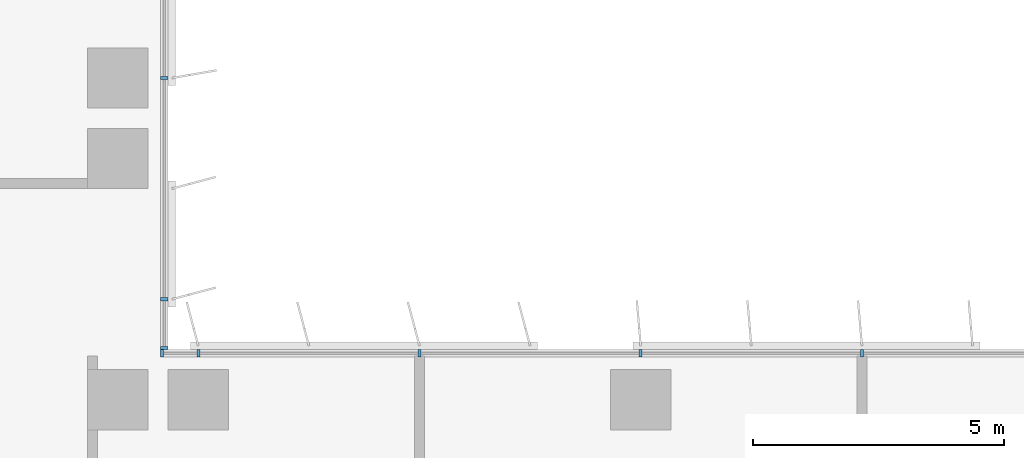
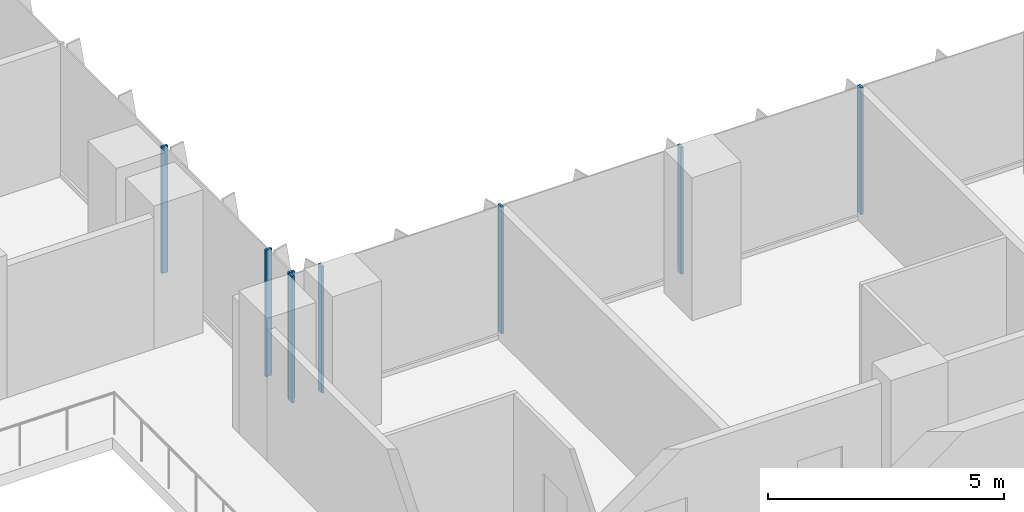
# One storey, part 2 of 22: 8 members, 2 elements without a shape of their own.
"""IFC4 building model written with IfcOpenShell, lengths in metres."""

from ifc_helpers import new_model, si_unit, direction, frame, origin, origin_2d, place, context, subcontext, project, spatial, rectangle, extrude, source, transform, mapped, material, material_profile, profile_set, type_object, element, aggregate, save


model = new_model("IFC4")

# Units and contexts
model_context = context("Model", 3, precision=1e-05, world=origin(), true_north=direction((0.0, 1.0)))
body_context = subcontext(model_context, "Body", "Model", "MODEL_VIEW")
ifc_project = project(units=[si_unit("LENGTHUNIT", "METRE"), si_unit("AREAUNIT", "SQUARE_METRE"), si_unit("VOLUMEUNIT", "CUBIC_METRE"), si_unit("PLANEANGLEUNIT", "RADIAN"), si_unit("MASSUNIT", "GRAM", prefix="KILO")], contexts=[model_context])

# Site, building, storey
site_placement = place(None, origin())
site = spatial("IfcSite", under=ifc_project, at=site_placement, CompositionType="ELEMENT")
building_placement = place(site_placement, origin())
building = spatial("IfcBuilding", under=site, at=building_placement, Name="Kemantara Hotel Tower", CompositionType="ELEMENT")
storey_placement = place(building_placement, frame((0.0, 0.0, 122.199951171875)))
storey = spatial("IfcBuildingStorey", under=building, at=storey_placement, Name="L29", CompositionType="ELEMENT", Elevation=122.199951171875)

# Curtain wall, members
ifc_material_1 = material(Name="Low-E tinted double insulated glass 36 mm", Category="glass")
curtain_wall_type = type_object("IfcCurtainWallType", Name="TOWER CURTAIN WALL, FRONT FACES", PredefinedType="USERDEFINED", material=ifc_material_1)
curtain_wall_1_placement = place(storey_placement, origin())
curtain_wall_1 = element("IfcCurtainWall", 1, at=curtain_wall_1_placement, inside=storey, type_object=curtain_wall_type, Name="CW4 L29 T2-R13-1", ObjectType="TOWER CURTAIN WALL, FRONT FACES", PredefinedType="USERDEFINED")
ifc_material_2 = material(Name="Aluminium 6063-T6 bronze anodised", Category="aluminium")
ifc_material_profile = material_profile(ifc_material_2, rectangle(XDim=0.14990234375, YDim=0.06005859375, at=origin_2d()), Name="TOWER CURTAIN WALL, FRONT FACES MULLION")
ifc_profile_set = profile_set([ifc_material_profile], Name="Aluminium 6063-T6 bronze anodised")
member_type = type_object("IfcMemberType", Name="TOWER CURTAIN WALL, FRONT FACES MULLION", PredefinedType="MULLION", material=ifc_profile_set)
shared_shape = source(origin(), body_context, "Body", "SweptSolid", [
    extrude(rectangle(XDim=0.14990234375, YDim=0.06005859375, at=origin_2d()), origin(), (0.0, 0.0, 1.0), 3.280029296875),
])
member_1_placement = place(storey_placement, frame((40.60009765625, 21.925048828125, 0.1201171875), z_axis=(0.0, 0.0, 1.0), x_axis=(0.0, -1.0, 0.0)))
member_1 = element("IfcMember", 2, at=member_1_placement, type_object=member_type, Name="CW4 mullion T2-R13-1.6", PredefinedType="MULLION", context=body_context, shape_type="MappedRepresentation", body=[
    mapped(shared_shape, transform((0.0, 0.0, 0.0))),
])
member_2_placement = place(storey_placement, frame((36.199951171875, 21.925048828125, 0.1201171875), z_axis=(0.0, 0.0, 1.0), x_axis=(0.0, -1.0, 0.0)))
member_2 = element("IfcMember", 3, at=member_2_placement, type_object=member_type, Name="CW4 mullion T2-R13-1.7", PredefinedType="MULLION", context=body_context, shape_type="MappedRepresentation", body=[
    mapped(shared_shape, transform((0.0, 0.0, 0.0))),
])
member_3_placement = place(storey_placement, frame((31.800048828125, 21.925048828125, 0.1201171875), z_axis=(0.0, 0.0, 1.0), x_axis=(0.0, -1.0, 0.0)))
member_3 = element("IfcMember", 4, at=member_3_placement, type_object=member_type, Name="CW4 mullion T2-R13-1.8", PredefinedType="MULLION", context=body_context, shape_type="MappedRepresentation", body=[
    mapped(shared_shape, transform((0.0, 0.0, 0.0))),
])
member_4_placement = place(storey_placement, frame((27.39990234375, 21.925048828125, 0.1201171875), z_axis=(0.0, 0.0, 1.0), x_axis=(0.0, -1.0, 0.0)))
member_4 = element("IfcMember", 5, at=member_4_placement, type_object=member_type, Name="CW4 mullion T2-R13-1.9", PredefinedType="MULLION", context=body_context, shape_type="MappedRepresentation", body=[
    mapped(shared_shape, transform((0.0, 0.0, 0.0))),
])
member_5_placement = place(storey_placement, frame((26.679931640625, 21.925048828125, 0.1201171875), z_axis=(0.0, 0.0, 1.0), x_axis=(0.0, -1.0, 0.0)))
member_5 = element("IfcMember", 6, at=member_5_placement, type_object=member_type, Name="CW4 mullion T2-R13-1.10", PredefinedType="MULLION", context=body_context, shape_type="MappedRepresentation", body=[
    mapped(shared_shape, transform((0.0, 0.0, 0.0))),
])
aggregate(curtain_wall_1, [member_1, member_2, member_3, member_4, member_5])

curtain_wall_2_placement = place(storey_placement, origin())
curtain_wall_2 = element("IfcCurtainWall", 7, at=curtain_wall_2_placement, inside=storey, type_object=curtain_wall_type, Name="CW4 L29 T2-R14-1", ObjectType="TOWER CURTAIN WALL, FRONT FACES", PredefinedType="USERDEFINED")
member_6_placement = place(storey_placement, frame((26.72509765625, 22.030029296875, 0.1201171875), z_axis=(0.0, 0.0, 1.0), x_axis=(-1.0, 0.0, 0.0)))
member_6 = element("IfcMember", 8, at=member_6_placement, type_object=member_type, Name="CW4 mullion T2-R14-1.1", PredefinedType="MULLION", context=body_context, shape_type="MappedRepresentation", body=[
    mapped(shared_shape, transform((0.0, 0.0, 0.0))),
])
member_7_placement = place(storey_placement, frame((26.72509765625, 23.0, 0.1201171875), z_axis=(0.0, 0.0, 1.0), x_axis=(-1.0, 0.0, 0.0)))
member_7 = element("IfcMember", 9, at=member_7_placement, type_object=member_type, Name="CW4 mullion T2-R14-1.2", PredefinedType="MULLION", context=body_context, shape_type="MappedRepresentation", body=[
    mapped(shared_shape, transform((0.0, 0.0, 0.0))),
])
member_8_placement = place(storey_placement, frame((26.72509765625, 27.39990234375, 0.1201171875), z_axis=(0.0, 0.0, 1.0), x_axis=(-1.0, 0.0, 0.0)))
member_8 = element("IfcMember", 10, at=member_8_placement, type_object=member_type, Name="CW4 mullion T2-R14-1.3", PredefinedType="MULLION", context=body_context, shape_type="MappedRepresentation", body=[
    mapped(shared_shape, transform((0.0, 0.0, 0.0))),
])
aggregate(curtain_wall_2, [member_6, member_7, member_8])

save(model, "model.ifc")
